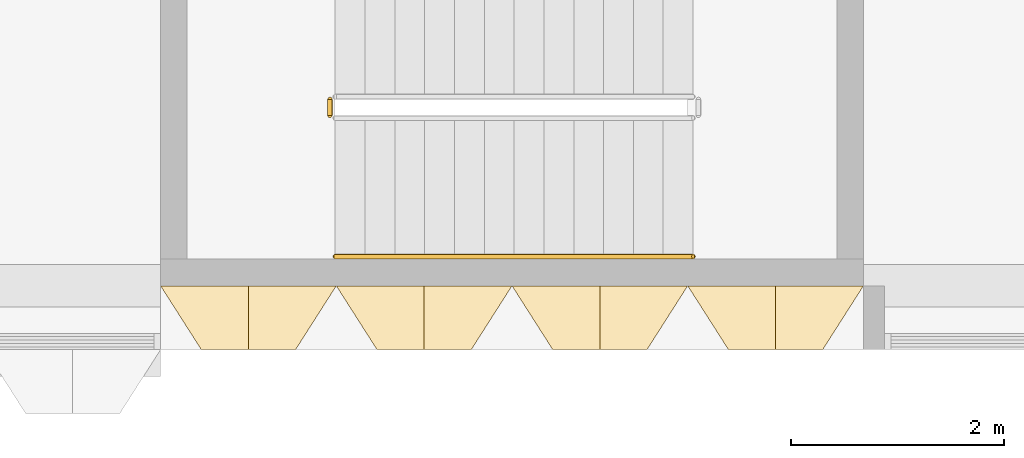
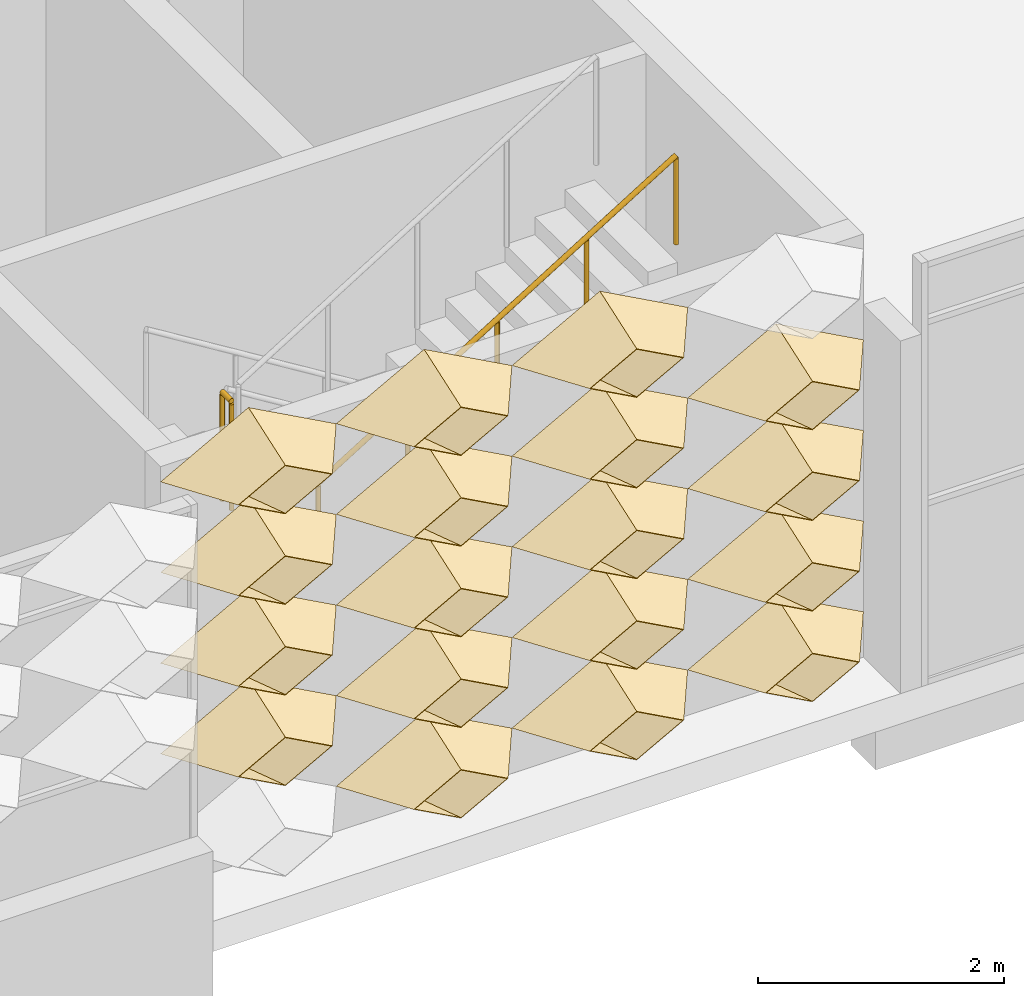
# One storey, part 46 of 85: 18 coverings, 2 railings.
"""IFC4 building model written with IfcOpenShell, lengths in metres."""

from ifc_helpers import new_model, entity, si_unit, direction, frame, origin, origin_2d, place, context, subcontext, project, spatial, circle, extrude, material, layer, layer_set, type_object, element, save


model = new_model("IFC4")

# Units and contexts
model_context = context("Model", 3, precision=1e-05, world=origin(), true_north=direction((0.0, 1.0)))
body_context = subcontext(model_context, "Body", "Model", "MODEL_VIEW")
ifc_project = project(units=[si_unit("LENGTHUNIT", "METRE"), si_unit("AREAUNIT", "SQUARE_METRE"), si_unit("VOLUMEUNIT", "CUBIC_METRE"), si_unit("PLANEANGLEUNIT", "RADIAN"), si_unit("MASSUNIT", "GRAM", prefix="KILO")], contexts=[model_context])

# Site, building, storey
site_placement = place(None, origin())
site = spatial("IfcSite", under=ifc_project, at=site_placement, CompositionType="ELEMENT")
building_placement = place(site_placement, origin())
building = spatial("IfcBuilding", under=site, at=building_placement, Name="Lantern Court Research Institute", CompositionType="ELEMENT")
storey_placement = place(building_placement, frame((0.0, 0.0, 18.89990234375)))
storey = spatial("IfcBuildingStorey", under=building, at=storey_placement, Name="L04", CompositionType="ELEMENT", Elevation=18.89990234375)

# Coverings
ifc_material_1 = material(Name="Anodised aluminium", Category="aluminium")
ifc_layer = layer(ifc_material_1, 0.01611328125)
ifc_layer_set = layer_set([ifc_layer], Name="Anodised aluminium")
covering_type = type_object("IfcCoveringType", Name="Fin cassette 1650 x 900 x 600 aluminium", PredefinedType="CLADDING", material=ifc_layer_set)
covering_1_placement = place(storey_placement, frame((55.27490234375, -7.800048828125, 0.4501953125), z_axis=(0.0, -1.0, 0.0), x_axis=(1.0, 0.0, 0.0)))
cartesian_point_1 = entity("IfcCartesianPoint", [0.824951171875, 0.0])
cartesian_point_2 = entity("IfcCartesianPoint", [0.79150390625, 0.0])
cartesian_point_3 = entity("IfcCartesianPoint", [0.44189453125, 0.0])
cartesian_point_4 = entity("IfcCartesianPoint", [0.43359375, 0.0])
element("IfcCovering", 1, at=covering_1_placement, inside=storey, type_object=covering_type, Name="Fin cassette V5S-L04 1.34", PredefinedType="CLADDING", context=body_context, shape_type="SweptSolid", body=[
    entity("IfcExtrudedAreaSolidTapered", entity("IfcArbitraryProfileDefWithVoids", "AREA", None, entity("IfcPolyline", [cartesian_point_1, entity("IfcCartesianPoint", [0.0, 0.449951171875]), entity("IfcCartesianPoint", [-0.824951171875, 0.0]), entity("IfcCartesianPoint", [0.0, -0.449951171875]), cartesian_point_1]), [entity("IfcPolyline", [cartesian_point_2, entity("IfcCartesianPoint", [0.0, 0.431884765625]), entity("IfcCartesianPoint", [-0.79150390625, 0.0]), entity("IfcCartesianPoint", [0.0, -0.431884765625]), cartesian_point_2])]), entity("IfcAxis2Placement3D", entity("IfcCartesianPoint", [0.0, 0.0, 0.0])), entity("IfcDirection", [0.0, 0.0, 1.0]), 0.60009765625, entity("IfcArbitraryProfileDefWithVoids", "AREA", None, entity("IfcPolyline", [cartesian_point_3, entity("IfcCartesianPoint", [0.0, 0.240966796875]), entity("IfcCartesianPoint", [-0.44189453125, 0.0]), entity("IfcCartesianPoint", [0.0, -0.240966796875]), cartesian_point_3]), [entity("IfcPolyline", [cartesian_point_4, entity("IfcCartesianPoint", [0.0, 0.236572265625]), entity("IfcCartesianPoint", [-0.43359375, 0.0]), entity("IfcCartesianPoint", [0.0, -0.236572265625]), cartesian_point_4])])),
])
covering_2_placement = place(storey_placement, frame((56.925048828125, -7.800048828125, 0.4501953125), z_axis=(0.0, -1.0, 0.0), x_axis=(1.0, 0.0, 0.0)))
cartesian_point_5 = entity("IfcCartesianPoint", [0.824951171875, 0.0])
cartesian_point_6 = entity("IfcCartesianPoint", [0.79150390625, 0.0])
cartesian_point_7 = entity("IfcCartesianPoint", [0.44189453125, 0.0])
cartesian_point_8 = entity("IfcCartesianPoint", [0.43359375, 0.0])
element("IfcCovering", 2, at=covering_2_placement, inside=storey, type_object=covering_type, Name="Fin cassette V5S-L04 1.35", PredefinedType="CLADDING", context=body_context, shape_type="SweptSolid", body=[
    entity("IfcExtrudedAreaSolidTapered", entity("IfcArbitraryProfileDefWithVoids", "AREA", None, entity("IfcPolyline", [cartesian_point_5, entity("IfcCartesianPoint", [0.0, 0.449951171875]), entity("IfcCartesianPoint", [-0.824951171875, 0.0]), entity("IfcCartesianPoint", [0.0, -0.449951171875]), cartesian_point_5]), [entity("IfcPolyline", [cartesian_point_6, entity("IfcCartesianPoint", [0.0, 0.431884765625]), entity("IfcCartesianPoint", [-0.79150390625, 0.0]), entity("IfcCartesianPoint", [0.0, -0.431884765625]), cartesian_point_6])]), entity("IfcAxis2Placement3D", entity("IfcCartesianPoint", [0.0, 0.0, 0.0])), entity("IfcDirection", [0.0, 0.0, 1.0]), 0.60009765625, entity("IfcArbitraryProfileDefWithVoids", "AREA", None, entity("IfcPolyline", [cartesian_point_7, entity("IfcCartesianPoint", [0.0, 0.240966796875]), entity("IfcCartesianPoint", [-0.44189453125, 0.0]), entity("IfcCartesianPoint", [0.0, -0.240966796875]), cartesian_point_7]), [entity("IfcPolyline", [cartesian_point_8, entity("IfcCartesianPoint", [0.0, 0.236572265625]), entity("IfcCartesianPoint", [-0.43359375, 0.0]), entity("IfcCartesianPoint", [0.0, -0.236572265625]), cartesian_point_8])])),
])
covering_3_placement = place(storey_placement, frame((58.574951171875, -7.800048828125, 0.4501953125), z_axis=(0.0, -1.0, 0.0), x_axis=(1.0, 0.0, 0.0)))
cartesian_point_9 = entity("IfcCartesianPoint", [0.824951171875, 0.0])
cartesian_point_10 = entity("IfcCartesianPoint", [0.79150390625, 0.0])
cartesian_point_11 = entity("IfcCartesianPoint", [0.44189453125, 0.0])
cartesian_point_12 = entity("IfcCartesianPoint", [0.43359375, 0.0])
element("IfcCovering", 3, at=covering_3_placement, inside=storey, type_object=covering_type, Name="Fin cassette V5S-L04 1.36", PredefinedType="CLADDING", context=body_context, shape_type="SweptSolid", body=[
    entity("IfcExtrudedAreaSolidTapered", entity("IfcArbitraryProfileDefWithVoids", "AREA", None, entity("IfcPolyline", [cartesian_point_9, entity("IfcCartesianPoint", [0.0, 0.449951171875]), entity("IfcCartesianPoint", [-0.824951171875, 0.0]), entity("IfcCartesianPoint", [0.0, -0.449951171875]), cartesian_point_9]), [entity("IfcPolyline", [cartesian_point_10, entity("IfcCartesianPoint", [0.0, 0.431884765625]), entity("IfcCartesianPoint", [-0.79150390625, 0.0]), entity("IfcCartesianPoint", [0.0, -0.431884765625]), cartesian_point_10])]), entity("IfcAxis2Placement3D", entity("IfcCartesianPoint", [0.0, 0.0, 0.0])), entity("IfcDirection", [0.0, 0.0, 1.0]), 0.60009765625, entity("IfcArbitraryProfileDefWithVoids", "AREA", None, entity("IfcPolyline", [cartesian_point_11, entity("IfcCartesianPoint", [0.0, 0.240966796875]), entity("IfcCartesianPoint", [-0.44189453125, 0.0]), entity("IfcCartesianPoint", [0.0, -0.240966796875]), cartesian_point_11]), [entity("IfcPolyline", [cartesian_point_12, entity("IfcCartesianPoint", [0.0, 0.236572265625]), entity("IfcCartesianPoint", [-0.43359375, 0.0]), entity("IfcCartesianPoint", [0.0, -0.236572265625]), cartesian_point_12])])),
])
covering_4_placement = place(storey_placement, frame((53.625, -7.800048828125, 1.35009765625), z_axis=(0.0, -1.0, 0.0), x_axis=(1.0, 0.0, 0.0)))
cartesian_point_13 = entity("IfcCartesianPoint", [0.824951171875, 0.0])
cartesian_point_14 = entity("IfcCartesianPoint", [0.79150390625, 0.0])
cartesian_point_15 = entity("IfcCartesianPoint", [0.44189453125, 0.0])
cartesian_point_16 = entity("IfcCartesianPoint", [0.43359375, 0.0])
element("IfcCovering", 4, at=covering_4_placement, inside=storey, type_object=covering_type, Name="Fin cassette V5S-L04 2.33", PredefinedType="CLADDING", context=body_context, shape_type="SweptSolid", body=[
    entity("IfcExtrudedAreaSolidTapered", entity("IfcArbitraryProfileDefWithVoids", "AREA", None, entity("IfcPolyline", [cartesian_point_13, entity("IfcCartesianPoint", [0.0, 0.449951171875]), entity("IfcCartesianPoint", [-0.824951171875, 0.0]), entity("IfcCartesianPoint", [0.0, -0.449951171875]), cartesian_point_13]), [entity("IfcPolyline", [cartesian_point_14, entity("IfcCartesianPoint", [0.0, 0.431884765625]), entity("IfcCartesianPoint", [-0.79150390625, 0.0]), entity("IfcCartesianPoint", [0.0, -0.431884765625]), cartesian_point_14])]), entity("IfcAxis2Placement3D", entity("IfcCartesianPoint", [0.0, 0.0, 0.0])), entity("IfcDirection", [0.0, 0.0, 1.0]), 0.60009765625, entity("IfcArbitraryProfileDefWithVoids", "AREA", None, entity("IfcPolyline", [cartesian_point_15, entity("IfcCartesianPoint", [0.0, 0.240966796875]), entity("IfcCartesianPoint", [-0.44189453125, 0.0]), entity("IfcCartesianPoint", [0.0, -0.240966796875]), cartesian_point_15]), [entity("IfcPolyline", [cartesian_point_16, entity("IfcCartesianPoint", [0.0, 0.236572265625]), entity("IfcCartesianPoint", [-0.43359375, 0.0]), entity("IfcCartesianPoint", [0.0, -0.236572265625]), cartesian_point_16])])),
])
covering_5_placement = place(storey_placement, frame((55.27490234375, -7.800048828125, 1.35009765625), z_axis=(0.0, -1.0, 0.0), x_axis=(1.0, 0.0, 0.0)))
cartesian_point_17 = entity("IfcCartesianPoint", [0.824951171875, 0.0])
cartesian_point_18 = entity("IfcCartesianPoint", [0.79150390625, 0.0])
cartesian_point_19 = entity("IfcCartesianPoint", [0.44189453125, 0.0])
cartesian_point_20 = entity("IfcCartesianPoint", [0.43359375, 0.0])
element("IfcCovering", 5, at=covering_5_placement, inside=storey, type_object=covering_type, Name="Fin cassette V5S-L04 2.34", PredefinedType="CLADDING", context=body_context, shape_type="SweptSolid", body=[
    entity("IfcExtrudedAreaSolidTapered", entity("IfcArbitraryProfileDefWithVoids", "AREA", None, entity("IfcPolyline", [cartesian_point_17, entity("IfcCartesianPoint", [0.0, 0.449951171875]), entity("IfcCartesianPoint", [-0.824951171875, 0.0]), entity("IfcCartesianPoint", [0.0, -0.449951171875]), cartesian_point_17]), [entity("IfcPolyline", [cartesian_point_18, entity("IfcCartesianPoint", [0.0, 0.431884765625]), entity("IfcCartesianPoint", [-0.79150390625, 0.0]), entity("IfcCartesianPoint", [0.0, -0.431884765625]), cartesian_point_18])]), entity("IfcAxis2Placement3D", entity("IfcCartesianPoint", [0.0, 0.0, 0.0])), entity("IfcDirection", [0.0, 0.0, 1.0]), 0.60009765625, entity("IfcArbitraryProfileDefWithVoids", "AREA", None, entity("IfcPolyline", [cartesian_point_19, entity("IfcCartesianPoint", [0.0, 0.240966796875]), entity("IfcCartesianPoint", [-0.44189453125, 0.0]), entity("IfcCartesianPoint", [0.0, -0.240966796875]), cartesian_point_19]), [entity("IfcPolyline", [cartesian_point_20, entity("IfcCartesianPoint", [0.0, 0.236572265625]), entity("IfcCartesianPoint", [-0.43359375, 0.0]), entity("IfcCartesianPoint", [0.0, -0.236572265625]), cartesian_point_20])])),
])
covering_6_placement = place(storey_placement, frame((56.925048828125, -7.800048828125, 1.35009765625), z_axis=(0.0, -1.0, 0.0), x_axis=(1.0, 0.0, 0.0)))
cartesian_point_21 = entity("IfcCartesianPoint", [0.824951171875, 0.0])
cartesian_point_22 = entity("IfcCartesianPoint", [0.79150390625, 0.0])
cartesian_point_23 = entity("IfcCartesianPoint", [0.44189453125, 0.0])
cartesian_point_24 = entity("IfcCartesianPoint", [0.43359375, 0.0])
element("IfcCovering", 6, at=covering_6_placement, inside=storey, type_object=covering_type, Name="Fin cassette V5S-L04 2.35", PredefinedType="CLADDING", context=body_context, shape_type="SweptSolid", body=[
    entity("IfcExtrudedAreaSolidTapered", entity("IfcArbitraryProfileDefWithVoids", "AREA", None, entity("IfcPolyline", [cartesian_point_21, entity("IfcCartesianPoint", [0.0, 0.449951171875]), entity("IfcCartesianPoint", [-0.824951171875, 0.0]), entity("IfcCartesianPoint", [0.0, -0.449951171875]), cartesian_point_21]), [entity("IfcPolyline", [cartesian_point_22, entity("IfcCartesianPoint", [0.0, 0.431884765625]), entity("IfcCartesianPoint", [-0.79150390625, 0.0]), entity("IfcCartesianPoint", [0.0, -0.431884765625]), cartesian_point_22])]), entity("IfcAxis2Placement3D", entity("IfcCartesianPoint", [0.0, 0.0, 0.0])), entity("IfcDirection", [0.0, 0.0, 1.0]), 0.60009765625, entity("IfcArbitraryProfileDefWithVoids", "AREA", None, entity("IfcPolyline", [cartesian_point_23, entity("IfcCartesianPoint", [0.0, 0.240966796875]), entity("IfcCartesianPoint", [-0.44189453125, 0.0]), entity("IfcCartesianPoint", [0.0, -0.240966796875]), cartesian_point_23]), [entity("IfcPolyline", [cartesian_point_24, entity("IfcCartesianPoint", [0.0, 0.236572265625]), entity("IfcCartesianPoint", [-0.43359375, 0.0]), entity("IfcCartesianPoint", [0.0, -0.236572265625]), cartesian_point_24])])),
])
covering_7_placement = place(storey_placement, frame((58.574951171875, -7.800048828125, 1.35009765625), z_axis=(0.0, -1.0, 0.0), x_axis=(1.0, 0.0, 0.0)))
cartesian_point_25 = entity("IfcCartesianPoint", [0.824951171875, 0.0])
cartesian_point_26 = entity("IfcCartesianPoint", [0.79150390625, 0.0])
cartesian_point_27 = entity("IfcCartesianPoint", [0.44189453125, 0.0])
cartesian_point_28 = entity("IfcCartesianPoint", [0.43359375, 0.0])
element("IfcCovering", 7, at=covering_7_placement, inside=storey, type_object=covering_type, Name="Fin cassette V5S-L04 2.36", PredefinedType="CLADDING", context=body_context, shape_type="SweptSolid", body=[
    entity("IfcExtrudedAreaSolidTapered", entity("IfcArbitraryProfileDefWithVoids", "AREA", None, entity("IfcPolyline", [cartesian_point_25, entity("IfcCartesianPoint", [0.0, 0.449951171875]), entity("IfcCartesianPoint", [-0.824951171875, 0.0]), entity("IfcCartesianPoint", [0.0, -0.449951171875]), cartesian_point_25]), [entity("IfcPolyline", [cartesian_point_26, entity("IfcCartesianPoint", [0.0, 0.431884765625]), entity("IfcCartesianPoint", [-0.79150390625, 0.0]), entity("IfcCartesianPoint", [0.0, -0.431884765625]), cartesian_point_26])]), entity("IfcAxis2Placement3D", entity("IfcCartesianPoint", [0.0, 0.0, 0.0])), entity("IfcDirection", [0.0, 0.0, 1.0]), 0.60009765625, entity("IfcArbitraryProfileDefWithVoids", "AREA", None, entity("IfcPolyline", [cartesian_point_27, entity("IfcCartesianPoint", [0.0, 0.240966796875]), entity("IfcCartesianPoint", [-0.44189453125, 0.0]), entity("IfcCartesianPoint", [0.0, -0.240966796875]), cartesian_point_27]), [entity("IfcPolyline", [cartesian_point_28, entity("IfcCartesianPoint", [0.0, 0.236572265625]), entity("IfcCartesianPoint", [-0.43359375, 0.0]), entity("IfcCartesianPoint", [0.0, -0.236572265625]), cartesian_point_28])])),
])
covering_8_placement = place(storey_placement, frame((53.625, -7.800048828125, 2.25), z_axis=(0.0, -1.0, 0.0), x_axis=(1.0, 0.0, 0.0)))
cartesian_point_29 = entity("IfcCartesianPoint", [0.824951171875, 0.0])
cartesian_point_30 = entity("IfcCartesianPoint", [0.79150390625, 0.0])
cartesian_point_31 = entity("IfcCartesianPoint", [0.44189453125, 0.0])
cartesian_point_32 = entity("IfcCartesianPoint", [0.43359375, 0.0])
element("IfcCovering", 8, at=covering_8_placement, inside=storey, type_object=covering_type, Name="Fin cassette V5S-L04 3.33", PredefinedType="CLADDING", context=body_context, shape_type="SweptSolid", body=[
    entity("IfcExtrudedAreaSolidTapered", entity("IfcArbitraryProfileDefWithVoids", "AREA", None, entity("IfcPolyline", [cartesian_point_29, entity("IfcCartesianPoint", [0.0, 0.449951171875]), entity("IfcCartesianPoint", [-0.824951171875, 0.0]), entity("IfcCartesianPoint", [0.0, -0.449951171875]), cartesian_point_29]), [entity("IfcPolyline", [cartesian_point_30, entity("IfcCartesianPoint", [0.0, 0.431884765625]), entity("IfcCartesianPoint", [-0.79150390625, 0.0]), entity("IfcCartesianPoint", [0.0, -0.431884765625]), cartesian_point_30])]), entity("IfcAxis2Placement3D", entity("IfcCartesianPoint", [0.0, 0.0, 0.0])), entity("IfcDirection", [0.0, 0.0, 1.0]), 0.60009765625, entity("IfcArbitraryProfileDefWithVoids", "AREA", None, entity("IfcPolyline", [cartesian_point_31, entity("IfcCartesianPoint", [0.0, 0.240966796875]), entity("IfcCartesianPoint", [-0.44189453125, 0.0]), entity("IfcCartesianPoint", [0.0, -0.240966796875]), cartesian_point_31]), [entity("IfcPolyline", [cartesian_point_32, entity("IfcCartesianPoint", [0.0, 0.236572265625]), entity("IfcCartesianPoint", [-0.43359375, 0.0]), entity("IfcCartesianPoint", [0.0, -0.236572265625]), cartesian_point_32])])),
])
covering_9_placement = place(storey_placement, frame((55.27490234375, -7.800048828125, 2.25), z_axis=(0.0, -1.0, 0.0), x_axis=(1.0, 0.0, 0.0)))
cartesian_point_33 = entity("IfcCartesianPoint", [0.824951171875, 0.0])
cartesian_point_34 = entity("IfcCartesianPoint", [0.79150390625, 0.0])
cartesian_point_35 = entity("IfcCartesianPoint", [0.44189453125, 0.0])
cartesian_point_36 = entity("IfcCartesianPoint", [0.43359375, 0.0])
element("IfcCovering", 9, at=covering_9_placement, inside=storey, type_object=covering_type, Name="Fin cassette V5S-L04 3.34", PredefinedType="CLADDING", context=body_context, shape_type="SweptSolid", body=[
    entity("IfcExtrudedAreaSolidTapered", entity("IfcArbitraryProfileDefWithVoids", "AREA", None, entity("IfcPolyline", [cartesian_point_33, entity("IfcCartesianPoint", [0.0, 0.449951171875]), entity("IfcCartesianPoint", [-0.824951171875, 0.0]), entity("IfcCartesianPoint", [0.0, -0.449951171875]), cartesian_point_33]), [entity("IfcPolyline", [cartesian_point_34, entity("IfcCartesianPoint", [0.0, 0.431884765625]), entity("IfcCartesianPoint", [-0.79150390625, 0.0]), entity("IfcCartesianPoint", [0.0, -0.431884765625]), cartesian_point_34])]), entity("IfcAxis2Placement3D", entity("IfcCartesianPoint", [0.0, 0.0, 0.0])), entity("IfcDirection", [0.0, 0.0, 1.0]), 0.60009765625, entity("IfcArbitraryProfileDefWithVoids", "AREA", None, entity("IfcPolyline", [cartesian_point_35, entity("IfcCartesianPoint", [0.0, 0.240966796875]), entity("IfcCartesianPoint", [-0.44189453125, 0.0]), entity("IfcCartesianPoint", [0.0, -0.240966796875]), cartesian_point_35]), [entity("IfcPolyline", [cartesian_point_36, entity("IfcCartesianPoint", [0.0, 0.236572265625]), entity("IfcCartesianPoint", [-0.43359375, 0.0]), entity("IfcCartesianPoint", [0.0, -0.236572265625]), cartesian_point_36])])),
])
covering_10_placement = place(storey_placement, frame((56.925048828125, -7.800048828125, 2.25), z_axis=(0.0, -1.0, 0.0), x_axis=(1.0, 0.0, 0.0)))
cartesian_point_37 = entity("IfcCartesianPoint", [0.824951171875, 0.0])
cartesian_point_38 = entity("IfcCartesianPoint", [0.79150390625, 0.0])
cartesian_point_39 = entity("IfcCartesianPoint", [0.44189453125, 0.0])
cartesian_point_40 = entity("IfcCartesianPoint", [0.43359375, 0.0])
element("IfcCovering", 10, at=covering_10_placement, inside=storey, type_object=covering_type, Name="Fin cassette V5S-L04 3.35", PredefinedType="CLADDING", context=body_context, shape_type="SweptSolid", body=[
    entity("IfcExtrudedAreaSolidTapered", entity("IfcArbitraryProfileDefWithVoids", "AREA", None, entity("IfcPolyline", [cartesian_point_37, entity("IfcCartesianPoint", [0.0, 0.449951171875]), entity("IfcCartesianPoint", [-0.824951171875, 0.0]), entity("IfcCartesianPoint", [0.0, -0.449951171875]), cartesian_point_37]), [entity("IfcPolyline", [cartesian_point_38, entity("IfcCartesianPoint", [0.0, 0.431884765625]), entity("IfcCartesianPoint", [-0.79150390625, 0.0]), entity("IfcCartesianPoint", [0.0, -0.431884765625]), cartesian_point_38])]), entity("IfcAxis2Placement3D", entity("IfcCartesianPoint", [0.0, 0.0, 0.0])), entity("IfcDirection", [0.0, 0.0, 1.0]), 0.60009765625, entity("IfcArbitraryProfileDefWithVoids", "AREA", None, entity("IfcPolyline", [cartesian_point_39, entity("IfcCartesianPoint", [0.0, 0.240966796875]), entity("IfcCartesianPoint", [-0.44189453125, 0.0]), entity("IfcCartesianPoint", [0.0, -0.240966796875]), cartesian_point_39]), [entity("IfcPolyline", [cartesian_point_40, entity("IfcCartesianPoint", [0.0, 0.236572265625]), entity("IfcCartesianPoint", [-0.43359375, 0.0]), entity("IfcCartesianPoint", [0.0, -0.236572265625]), cartesian_point_40])])),
])
covering_11_placement = place(storey_placement, frame((58.574951171875, -7.800048828125, 2.25), z_axis=(0.0, -1.0, 0.0), x_axis=(1.0, 0.0, 0.0)))
cartesian_point_41 = entity("IfcCartesianPoint", [0.824951171875, 0.0])
cartesian_point_42 = entity("IfcCartesianPoint", [0.79150390625, 0.0])
cartesian_point_43 = entity("IfcCartesianPoint", [0.44189453125, 0.0])
cartesian_point_44 = entity("IfcCartesianPoint", [0.43359375, 0.0])
element("IfcCovering", 11, at=covering_11_placement, inside=storey, type_object=covering_type, Name="Fin cassette V5S-L04 3.36", PredefinedType="CLADDING", context=body_context, shape_type="SweptSolid", body=[
    entity("IfcExtrudedAreaSolidTapered", entity("IfcArbitraryProfileDefWithVoids", "AREA", None, entity("IfcPolyline", [cartesian_point_41, entity("IfcCartesianPoint", [0.0, 0.449951171875]), entity("IfcCartesianPoint", [-0.824951171875, 0.0]), entity("IfcCartesianPoint", [0.0, -0.449951171875]), cartesian_point_41]), [entity("IfcPolyline", [cartesian_point_42, entity("IfcCartesianPoint", [0.0, 0.431884765625]), entity("IfcCartesianPoint", [-0.79150390625, 0.0]), entity("IfcCartesianPoint", [0.0, -0.431884765625]), cartesian_point_42])]), entity("IfcAxis2Placement3D", entity("IfcCartesianPoint", [0.0, 0.0, 0.0])), entity("IfcDirection", [0.0, 0.0, 1.0]), 0.60009765625, entity("IfcArbitraryProfileDefWithVoids", "AREA", None, entity("IfcPolyline", [cartesian_point_43, entity("IfcCartesianPoint", [0.0, 0.240966796875]), entity("IfcCartesianPoint", [-0.44189453125, 0.0]), entity("IfcCartesianPoint", [0.0, -0.240966796875]), cartesian_point_43]), [entity("IfcPolyline", [cartesian_point_44, entity("IfcCartesianPoint", [0.0, 0.236572265625]), entity("IfcCartesianPoint", [-0.43359375, 0.0]), entity("IfcCartesianPoint", [0.0, -0.236572265625]), cartesian_point_44])])),
])
covering_12_placement = place(storey_placement, frame((53.625, -7.800048828125, 3.150146484375), z_axis=(0.0, -1.0, 0.0), x_axis=(1.0, 0.0, 0.0)))
cartesian_point_45 = entity("IfcCartesianPoint", [0.824951171875, 0.0])
cartesian_point_46 = entity("IfcCartesianPoint", [0.79150390625, 0.0])
cartesian_point_47 = entity("IfcCartesianPoint", [0.44189453125, 0.0])
cartesian_point_48 = entity("IfcCartesianPoint", [0.43359375, 0.0])
element("IfcCovering", 12, at=covering_12_placement, inside=storey, type_object=covering_type, Name="Fin cassette V5S-L04 4.33", PredefinedType="CLADDING", context=body_context, shape_type="SweptSolid", body=[
    entity("IfcExtrudedAreaSolidTapered", entity("IfcArbitraryProfileDefWithVoids", "AREA", None, entity("IfcPolyline", [cartesian_point_45, entity("IfcCartesianPoint", [0.0, 0.449951171875]), entity("IfcCartesianPoint", [-0.824951171875, 0.0]), entity("IfcCartesianPoint", [0.0, -0.449951171875]), cartesian_point_45]), [entity("IfcPolyline", [cartesian_point_46, entity("IfcCartesianPoint", [0.0, 0.431884765625]), entity("IfcCartesianPoint", [-0.79150390625, 0.0]), entity("IfcCartesianPoint", [0.0, -0.431884765625]), cartesian_point_46])]), entity("IfcAxis2Placement3D", entity("IfcCartesianPoint", [0.0, 0.0, 0.0])), entity("IfcDirection", [0.0, 0.0, 1.0]), 0.60009765625, entity("IfcArbitraryProfileDefWithVoids", "AREA", None, entity("IfcPolyline", [cartesian_point_47, entity("IfcCartesianPoint", [0.0, 0.240966796875]), entity("IfcCartesianPoint", [-0.44189453125, 0.0]), entity("IfcCartesianPoint", [0.0, -0.240966796875]), cartesian_point_47]), [entity("IfcPolyline", [cartesian_point_48, entity("IfcCartesianPoint", [0.0, 0.236572265625]), entity("IfcCartesianPoint", [-0.43359375, 0.0]), entity("IfcCartesianPoint", [0.0, -0.236572265625]), cartesian_point_48])])),
])
covering_13_placement = place(storey_placement, frame((55.27490234375, -7.800048828125, 3.150146484375), z_axis=(0.0, -1.0, 0.0), x_axis=(1.0, 0.0, 0.0)))
cartesian_point_49 = entity("IfcCartesianPoint", [0.824951171875, 0.0])
cartesian_point_50 = entity("IfcCartesianPoint", [0.79150390625, 0.0])
cartesian_point_51 = entity("IfcCartesianPoint", [0.44189453125, 0.0])
cartesian_point_52 = entity("IfcCartesianPoint", [0.43359375, 0.0])
element("IfcCovering", 13, at=covering_13_placement, inside=storey, type_object=covering_type, Name="Fin cassette V5S-L04 4.34", PredefinedType="CLADDING", context=body_context, shape_type="SweptSolid", body=[
    entity("IfcExtrudedAreaSolidTapered", entity("IfcArbitraryProfileDefWithVoids", "AREA", None, entity("IfcPolyline", [cartesian_point_49, entity("IfcCartesianPoint", [0.0, 0.449951171875]), entity("IfcCartesianPoint", [-0.824951171875, 0.0]), entity("IfcCartesianPoint", [0.0, -0.449951171875]), cartesian_point_49]), [entity("IfcPolyline", [cartesian_point_50, entity("IfcCartesianPoint", [0.0, 0.431884765625]), entity("IfcCartesianPoint", [-0.79150390625, 0.0]), entity("IfcCartesianPoint", [0.0, -0.431884765625]), cartesian_point_50])]), entity("IfcAxis2Placement3D", entity("IfcCartesianPoint", [0.0, 0.0, 0.0])), entity("IfcDirection", [0.0, 0.0, 1.0]), 0.60009765625, entity("IfcArbitraryProfileDefWithVoids", "AREA", None, entity("IfcPolyline", [cartesian_point_51, entity("IfcCartesianPoint", [0.0, 0.240966796875]), entity("IfcCartesianPoint", [-0.44189453125, 0.0]), entity("IfcCartesianPoint", [0.0, -0.240966796875]), cartesian_point_51]), [entity("IfcPolyline", [cartesian_point_52, entity("IfcCartesianPoint", [0.0, 0.236572265625]), entity("IfcCartesianPoint", [-0.43359375, 0.0]), entity("IfcCartesianPoint", [0.0, -0.236572265625]), cartesian_point_52])])),
])
covering_14_placement = place(storey_placement, frame((56.925048828125, -7.800048828125, 3.150146484375), z_axis=(0.0, -1.0, 0.0), x_axis=(1.0, 0.0, 0.0)))
cartesian_point_53 = entity("IfcCartesianPoint", [0.824951171875, 0.0])
cartesian_point_54 = entity("IfcCartesianPoint", [0.79150390625, 0.0])
cartesian_point_55 = entity("IfcCartesianPoint", [0.44189453125, 0.0])
cartesian_point_56 = entity("IfcCartesianPoint", [0.43359375, 0.0])
element("IfcCovering", 14, at=covering_14_placement, inside=storey, type_object=covering_type, Name="Fin cassette V5S-L04 4.35", PredefinedType="CLADDING", context=body_context, shape_type="SweptSolid", body=[
    entity("IfcExtrudedAreaSolidTapered", entity("IfcArbitraryProfileDefWithVoids", "AREA", None, entity("IfcPolyline", [cartesian_point_53, entity("IfcCartesianPoint", [0.0, 0.449951171875]), entity("IfcCartesianPoint", [-0.824951171875, 0.0]), entity("IfcCartesianPoint", [0.0, -0.449951171875]), cartesian_point_53]), [entity("IfcPolyline", [cartesian_point_54, entity("IfcCartesianPoint", [0.0, 0.431884765625]), entity("IfcCartesianPoint", [-0.79150390625, 0.0]), entity("IfcCartesianPoint", [0.0, -0.431884765625]), cartesian_point_54])]), entity("IfcAxis2Placement3D", entity("IfcCartesianPoint", [0.0, 0.0, 0.0])), entity("IfcDirection", [0.0, 0.0, 1.0]), 0.60009765625, entity("IfcArbitraryProfileDefWithVoids", "AREA", None, entity("IfcPolyline", [cartesian_point_55, entity("IfcCartesianPoint", [0.0, 0.240966796875]), entity("IfcCartesianPoint", [-0.44189453125, 0.0]), entity("IfcCartesianPoint", [0.0, -0.240966796875]), cartesian_point_55]), [entity("IfcPolyline", [cartesian_point_56, entity("IfcCartesianPoint", [0.0, 0.236572265625]), entity("IfcCartesianPoint", [-0.43359375, 0.0]), entity("IfcCartesianPoint", [0.0, -0.236572265625]), cartesian_point_56])])),
])
covering_15_placement = place(storey_placement, frame((58.574951171875, -7.800048828125, 3.150146484375), z_axis=(0.0, -1.0, 0.0), x_axis=(1.0, 0.0, 0.0)))
cartesian_point_57 = entity("IfcCartesianPoint", [0.824951171875, 0.0])
cartesian_point_58 = entity("IfcCartesianPoint", [0.79150390625, 0.0])
cartesian_point_59 = entity("IfcCartesianPoint", [0.44189453125, 0.0])
cartesian_point_60 = entity("IfcCartesianPoint", [0.43359375, 0.0])
element("IfcCovering", 15, at=covering_15_placement, inside=storey, type_object=covering_type, Name="Fin cassette V5S-L04 4.36", PredefinedType="CLADDING", context=body_context, shape_type="SweptSolid", body=[
    entity("IfcExtrudedAreaSolidTapered", entity("IfcArbitraryProfileDefWithVoids", "AREA", None, entity("IfcPolyline", [cartesian_point_57, entity("IfcCartesianPoint", [0.0, 0.449951171875]), entity("IfcCartesianPoint", [-0.824951171875, 0.0]), entity("IfcCartesianPoint", [0.0, -0.449951171875]), cartesian_point_57]), [entity("IfcPolyline", [cartesian_point_58, entity("IfcCartesianPoint", [0.0, 0.431884765625]), entity("IfcCartesianPoint", [-0.79150390625, 0.0]), entity("IfcCartesianPoint", [0.0, -0.431884765625]), cartesian_point_58])]), entity("IfcAxis2Placement3D", entity("IfcCartesianPoint", [0.0, 0.0, 0.0])), entity("IfcDirection", [0.0, 0.0, 1.0]), 0.60009765625, entity("IfcArbitraryProfileDefWithVoids", "AREA", None, entity("IfcPolyline", [cartesian_point_59, entity("IfcCartesianPoint", [0.0, 0.240966796875]), entity("IfcCartesianPoint", [-0.44189453125, 0.0]), entity("IfcCartesianPoint", [0.0, -0.240966796875]), cartesian_point_59]), [entity("IfcPolyline", [cartesian_point_60, entity("IfcCartesianPoint", [0.0, 0.236572265625]), entity("IfcCartesianPoint", [-0.43359375, 0.0]), entity("IfcCartesianPoint", [0.0, -0.236572265625]), cartesian_point_60])])),
])
covering_16_placement = place(storey_placement, frame((53.625, -7.800048828125, 4.050048828125), z_axis=(0.0, -1.0, 0.0), x_axis=(1.0, 0.0, 0.0)))
cartesian_point_61 = entity("IfcCartesianPoint", [0.824951171875, 0.0])
cartesian_point_62 = entity("IfcCartesianPoint", [0.79150390625, 0.0])
cartesian_point_63 = entity("IfcCartesianPoint", [0.44189453125, 0.0])
cartesian_point_64 = entity("IfcCartesianPoint", [0.43359375, 0.0])
element("IfcCovering", 16, at=covering_16_placement, inside=storey, type_object=covering_type, Name="Fin cassette V5S-L04 5.33", PredefinedType="CLADDING", context=body_context, shape_type="SweptSolid", body=[
    entity("IfcExtrudedAreaSolidTapered", entity("IfcArbitraryProfileDefWithVoids", "AREA", None, entity("IfcPolyline", [cartesian_point_61, entity("IfcCartesianPoint", [0.0, 0.449951171875]), entity("IfcCartesianPoint", [-0.824951171875, 0.0]), entity("IfcCartesianPoint", [0.0, -0.449951171875]), cartesian_point_61]), [entity("IfcPolyline", [cartesian_point_62, entity("IfcCartesianPoint", [0.0, 0.431884765625]), entity("IfcCartesianPoint", [-0.79150390625, 0.0]), entity("IfcCartesianPoint", [0.0, -0.431884765625]), cartesian_point_62])]), entity("IfcAxis2Placement3D", entity("IfcCartesianPoint", [0.0, 0.0, 0.0])), entity("IfcDirection", [0.0, 0.0, 1.0]), 0.60009765625, entity("IfcArbitraryProfileDefWithVoids", "AREA", None, entity("IfcPolyline", [cartesian_point_63, entity("IfcCartesianPoint", [0.0, 0.240966796875]), entity("IfcCartesianPoint", [-0.44189453125, 0.0]), entity("IfcCartesianPoint", [0.0, -0.240966796875]), cartesian_point_63]), [entity("IfcPolyline", [cartesian_point_64, entity("IfcCartesianPoint", [0.0, 0.236572265625]), entity("IfcCartesianPoint", [-0.43359375, 0.0]), entity("IfcCartesianPoint", [0.0, -0.236572265625]), cartesian_point_64])])),
])
covering_17_placement = place(storey_placement, frame((55.27490234375, -7.800048828125, 4.050048828125), z_axis=(0.0, -1.0, 0.0), x_axis=(1.0, 0.0, 0.0)))
cartesian_point_65 = entity("IfcCartesianPoint", [0.824951171875, 0.0])
cartesian_point_66 = entity("IfcCartesianPoint", [0.79150390625, 0.0])
cartesian_point_67 = entity("IfcCartesianPoint", [0.44189453125, 0.0])
cartesian_point_68 = entity("IfcCartesianPoint", [0.43359375, 0.0])
element("IfcCovering", 17, at=covering_17_placement, inside=storey, type_object=covering_type, Name="Fin cassette V5S-L04 5.34", PredefinedType="CLADDING", context=body_context, shape_type="SweptSolid", body=[
    entity("IfcExtrudedAreaSolidTapered", entity("IfcArbitraryProfileDefWithVoids", "AREA", None, entity("IfcPolyline", [cartesian_point_65, entity("IfcCartesianPoint", [0.0, 0.449951171875]), entity("IfcCartesianPoint", [-0.824951171875, 0.0]), entity("IfcCartesianPoint", [0.0, -0.449951171875]), cartesian_point_65]), [entity("IfcPolyline", [cartesian_point_66, entity("IfcCartesianPoint", [0.0, 0.431884765625]), entity("IfcCartesianPoint", [-0.79150390625, 0.0]), entity("IfcCartesianPoint", [0.0, -0.431884765625]), cartesian_point_66])]), entity("IfcAxis2Placement3D", entity("IfcCartesianPoint", [0.0, 0.0, 0.0])), entity("IfcDirection", [0.0, 0.0, 1.0]), 0.60009765625, entity("IfcArbitraryProfileDefWithVoids", "AREA", None, entity("IfcPolyline", [cartesian_point_67, entity("IfcCartesianPoint", [0.0, 0.240966796875]), entity("IfcCartesianPoint", [-0.44189453125, 0.0]), entity("IfcCartesianPoint", [0.0, -0.240966796875]), cartesian_point_67]), [entity("IfcPolyline", [cartesian_point_68, entity("IfcCartesianPoint", [0.0, 0.236572265625]), entity("IfcCartesianPoint", [-0.43359375, 0.0]), entity("IfcCartesianPoint", [0.0, -0.236572265625]), cartesian_point_68])])),
])
covering_18_placement = place(storey_placement, frame((56.925048828125, -7.800048828125, 4.050048828125), z_axis=(0.0, -1.0, 0.0), x_axis=(1.0, 0.0, 0.0)))
cartesian_point_69 = entity("IfcCartesianPoint", [0.824951171875, 0.0])
cartesian_point_70 = entity("IfcCartesianPoint", [0.79150390625, 0.0])
cartesian_point_71 = entity("IfcCartesianPoint", [0.44189453125, 0.0])
cartesian_point_72 = entity("IfcCartesianPoint", [0.43359375, 0.0])
element("IfcCovering", 18, at=covering_18_placement, inside=storey, type_object=covering_type, Name="Fin cassette V5S-L04 5.35", PredefinedType="CLADDING", context=body_context, shape_type="SweptSolid", body=[
    entity("IfcExtrudedAreaSolidTapered", entity("IfcArbitraryProfileDefWithVoids", "AREA", None, entity("IfcPolyline", [cartesian_point_69, entity("IfcCartesianPoint", [0.0, 0.449951171875]), entity("IfcCartesianPoint", [-0.824951171875, 0.0]), entity("IfcCartesianPoint", [0.0, -0.449951171875]), cartesian_point_69]), [entity("IfcPolyline", [cartesian_point_70, entity("IfcCartesianPoint", [0.0, 0.431884765625]), entity("IfcCartesianPoint", [-0.79150390625, 0.0]), entity("IfcCartesianPoint", [0.0, -0.431884765625]), cartesian_point_70])]), entity("IfcAxis2Placement3D", entity("IfcCartesianPoint", [0.0, 0.0, 0.0])), entity("IfcDirection", [0.0, 0.0, 1.0]), 0.60009765625, entity("IfcArbitraryProfileDefWithVoids", "AREA", None, entity("IfcPolyline", [cartesian_point_71, entity("IfcCartesianPoint", [0.0, 0.240966796875]), entity("IfcCartesianPoint", [-0.44189453125, 0.0]), entity("IfcCartesianPoint", [0.0, -0.240966796875]), cartesian_point_71]), [entity("IfcPolyline", [cartesian_point_72, entity("IfcCartesianPoint", [0.0, 0.236572265625]), entity("IfcCartesianPoint", [-0.43359375, 0.0]), entity("IfcCartesianPoint", [0.0, -0.236572265625]), cartesian_point_72])])),
])

# Railings
ifc_material_2 = material(Name="Structural steel S355", Category="steel")
railing_type_1 = type_object("IfcRailingType", Name="Stair guard 1100 steel", PredefinedType="GUARDRAIL", material=ifc_material_2)
railing_1_placement = place(storey_placement, frame((54.389892578125, -6.050048828125, 2.25)))
element("IfcRailing", 19, at=railing_1_placement, inside=storey, type_object=railing_type_1, Name="L04 ST-T1 stair guard 2", PredefinedType="GUARDRAIL", context=body_context, shape_type="SweptSolid", body=[
    extrude(circle(Radius=0.02392578125, at=origin_2d()), frame((0.0, 0.0, 1.076171875), z_axis=(0.0, -1.0, 0.0), x_axis=(1.0, 0.0, 0.0)), (0.0, 0.0, 1.0), 0.14990234375),
    extrude(circle(Radius=0.02099609375, at=origin_2d()), origin(), (0.0, 0.0, 1.0), 1.052001953125),
    extrude(circle(Radius=0.02099609375, at=origin_2d()), frame((0.0, -0.14990234375, 0.0)), (0.0, 0.0, 1.0), 1.052001953125),
])
ifc_material_3 = material(Name="Stainless steel 316", Category="steel")
railing_type_2 = type_object("IfcRailingType", Name="Stair handrail 900 steel", PredefinedType="HANDRAIL", material=ifc_material_3)
railing_2_placement = place(storey_placement, frame((54.43994140625, -7.52490234375, 2.423095703125)))
element("IfcRailing", 20, at=railing_2_placement, inside=storey, type_object=railing_type_2, Name="L04 ST-T1 stair handrail 2", PredefinedType="HANDRAIL", context=body_context, shape_type="SweptSolid", body=[
    extrude(circle(Radius=0.02392578125, at=origin_2d()), frame((0.0, 0.0, 0.8759765625), z_axis=(0.850623216509, 0.0, 0.525775754039), x_axis=(0.0, 1.0, 0.0)), (0.0, 0.0, 1.0), 3.9501953125),
    extrude(circle(Radius=0.02099609375, at=origin_2d()), origin(), (0.0, 0.0, 1.0), 0.851806640625),
    extrude(circle(Radius=0.02099609375, at=origin_2d()), frame((0.840087890625, 0.0, 0.519287109375)), (0.0, 0.0, 1.0), 0.851806640625),
    extrude(circle(Radius=0.02099609375, at=origin_2d()), frame((1.68017578125, 0.0, 1.03857421875)), (0.0, 0.0, 1.0), 0.851806640625),
    extrude(circle(Radius=0.02099609375, at=origin_2d()), frame((2.52001953125, 0.0, 1.5576171875)), (0.0, 0.0, 1.0), 0.851806640625),
    extrude(circle(Radius=0.02099609375, at=origin_2d()), frame((3.360107421875, 0.0, 2.076904296875)), (0.0, 0.0, 1.0), 0.851806640625),
])

save(model, "model.ifc")
